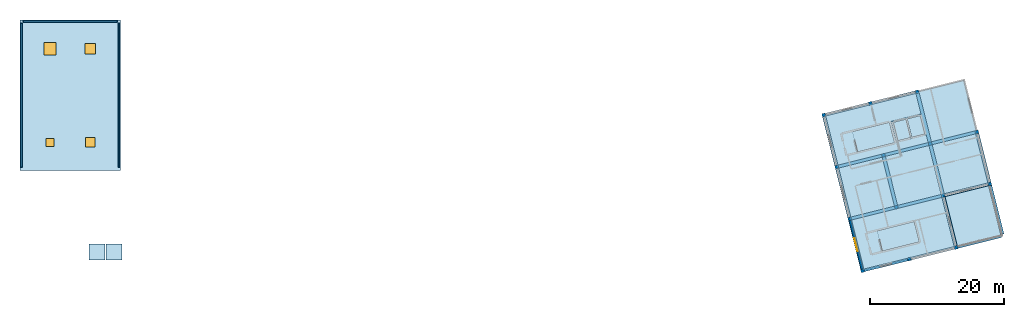
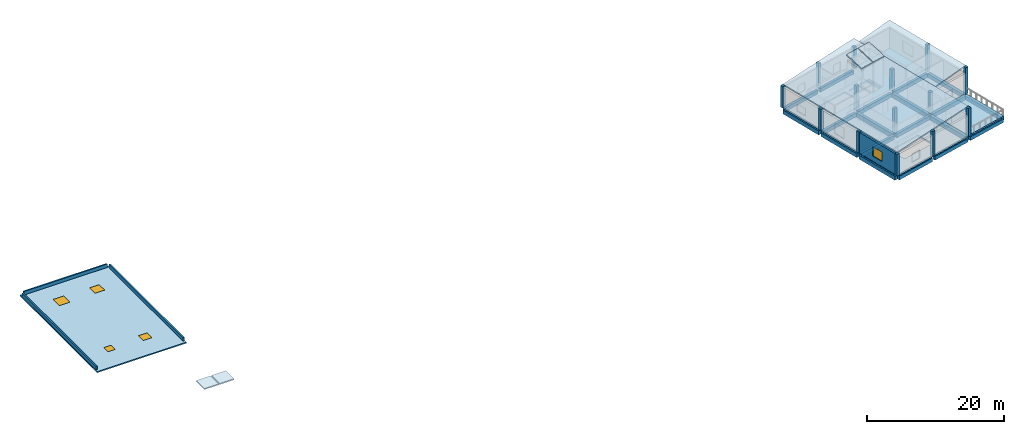
# One storey, part 1 of 4: 20 beams, 14 columns, 9 slabs, 5 windows, 4 walls, 5 openings.
"""IFC4 building model written with IfcOpenShell, lengths in metres."""

from ifc_helpers import new_model, si_unit, direction, frame, frame_2d, origin, origin_2d, place, context, subcontext, project, spatial, polyline, rectangle, outline, extrude, material, layer, layer_set, material_profile, profile_set, type_object, element, fill, save


model = new_model("IFC4")

# Units and contexts
model_context = context("Model", 3, precision=1e-05, world=origin(), true_north=direction((0.0, 1.0)))
body_context = subcontext(model_context, "Body", "Model", "MODEL_VIEW")
ifc_project = project(units=[si_unit("LENGTHUNIT", "METRE"), si_unit("AREAUNIT", "SQUARE_METRE"), si_unit("VOLUMEUNIT", "CUBIC_METRE"), si_unit("PLANEANGLEUNIT", "RADIAN"), si_unit("MASSUNIT", "GRAM", prefix="KILO")], contexts=[model_context])

# Site, building, storey
site_placement = place(None, origin())
site = spatial("IfcSite", under=ifc_project, at=site_placement, CompositionType="ELEMENT")
building_placement = place(site_placement, origin())
building = spatial("IfcBuilding", under=site, at=building_placement, Name="Mawjan Specialist Oncology Clinic", CompositionType="ELEMENT")
storey_placement = place(building_placement, frame((0.0, 0.0, 25.5)))
storey = spatial("IfcBuildingStorey", under=building, at=storey_placement, Name="L06", CompositionType="ELEMENT", Elevation=25.5)

# Columns
ifc_material_1 = material(Name="Concrete C45/55", Category="concrete")
ifc_material_profile_1 = material_profile(ifc_material_1, rectangle(XDim=0.5, YDim=0.5, at=origin_2d()), Name="RC COL 500x500", Category="concrete")
ifc_profile_set_1 = profile_set([ifc_material_profile_1], Name="Concrete C45/55")
column_type = type_object("IfcColumnType", Name="C-500", PredefinedType="COLUMN", material=ifc_profile_set_1)
for number, where, z_axis, x_axis, name in (
    (1, (126.0, 0.800048828125, 0.0), (0.0, 0.0, 1.0), (0.970295726276, 0.2419218956, 0.0), "L06 Column R-RA-R1"),
    (2, (124.064697265625, 8.562255859375, 0.0), (0.0, 0.0, 1.0), (0.970295726276, 0.2419218956, 0.0), "L06 Column R-RA-R2"),
    (3, (122.129150390625, 16.32470703125, 0.0), (0.0, 0.0, 1.0), (0.970295726276, 0.2419218956, 0.0), "L06 Column R-RA-R3"),
    (4, (120.19384765625, 24.087158203125, 0.0), (0.0, 0.0, 1.0), (0.970295726276, 0.2419218956, 0.0), "L06 Column R-RA-R4"),
):
    element("IfcColumn", number, at=place(storey_placement, frame(where, z_axis=z_axis, x_axis=x_axis)), inside=storey, type_object=column_type, Name=name, PredefinedType="COLUMN", context=body_context, shape_type="SweptSolid", body=[
        extrude(rectangle(XDim=0.5, YDim=0.5, at=origin_2d()), origin(), (0.0, 0.0, 1.0), 3.819091796875),
    ])
for number, where, z_axis, x_axis, name in (
    (5, (132.986083984375, 2.541748046875, 0.0), (0.0, 0.0, 1.0), (0.970295726276, 0.2419218956, 0.0), "L06 Column R-RB-R1"),
    (6, (131.05078125, 10.30419921875, 0.0), (0.0, 0.0, 1.0), (0.970295726276, 0.2419218956, 0.0), "L06 Column R-RB-R2"),
    (7, (129.115478515625, 18.066650390625, 0.0), (0.0, 0.0, 1.0), (0.970295726276, 0.2419218956, 0.0), "L06 Column R-RB-R3"),
    (8, (127.179931640625, 25.828857421875, 0.0), (0.0, 0.0, 1.0), (0.970295726276, 0.2419218956, 0.0), "L06 Column R-RB-R4"),
):
    element("IfcColumn", number, at=place(storey_placement, frame(where, z_axis=z_axis, x_axis=x_axis)), inside=storey, type_object=column_type, Name=name, PredefinedType="COLUMN", context=body_context, shape_type="SweptSolid", body=[
        extrude(rectangle(XDim=0.5, YDim=0.5, at=origin_2d()), origin(), (0.0, 0.0, 1.0), 4.419921875),
    ])
column_placement = place(storey_placement, frame((139.97216796875, 4.28369140625, 0.0), z_axis=(0.0, 0.0, 1.0), x_axis=(0.970295726276, 0.2419218956, 0.0)))
element("IfcColumn", 9, at=column_placement, inside=storey, type_object=column_type, Name="L06 Column R-RC-R1", PredefinedType="COLUMN", context=body_context, shape_type="SweptSolid", body=[
    extrude(rectangle(XDim=0.5, YDim=0.5, at=origin_2d()), origin(), (0.0, 0.0, 1.0), 5.020751953125),
])
for number, where, z_axis, x_axis, name in (
    (10, (138.036865234375, 12.046142578125, 0.0), (0.0, 0.0, 1.0), (0.970295726276, 0.2419218956, 0.0), "L06 Column R-RC-R2"),
    (11, (136.1015625, 19.808349609375, 0.0), (0.0, 0.0, 1.0), (0.970295726276, 0.2419218956, 0.0), "L06 Column R-RC-R3"),
    (12, (134.166015625, 27.57080078125, 0.0), (0.0, 0.0, 1.0), (0.970295726276, 0.2419218956, 0.0), "L06 Column R-RC-R4"),
):
    element("IfcColumn", number, at=place(storey_placement, frame(where, z_axis=z_axis, x_axis=x_axis)), inside=storey, type_object=column_type, Name=name, PredefinedType="COLUMN", context=body_context, shape_type="SweptSolid", body=[
        extrude(rectangle(XDim=0.5, YDim=0.5, at=origin_2d()), origin(), (0.0, 0.0, 1.0), 3.818115234375),
    ])
for number, where, z_axis, x_axis, name in (
    (13, (145.02294921875, 13.787841796875, 0.0), (0.0, 0.0, 1.0), (0.970295726276, 0.2419218956, 0.0), "L06 Column R-RD-R2"),
    (14, (143.087646484375, 21.55029296875, 0.0), (0.0, 0.0, 1.0), (0.970295726276, 0.2419218956, 0.0), "L06 Column R-RD-R3"),
):
    element("IfcColumn", number, at=place(storey_placement, frame(where, z_axis=z_axis, x_axis=x_axis)), inside=storey, type_object=column_type, Name=name, PredefinedType="COLUMN", context=body_context, shape_type="SweptSolid", body=[
        extrude(rectangle(XDim=0.5, YDim=0.5, at=origin_2d()), origin(), (0.0, 0.0, 1.0), 4.73828125),
    ])

# Beams
ifc_material_2 = material(Name="Concrete C40/50", Category="concrete")
ifc_material_profile_2 = material_profile(ifc_material_2, rectangle(XDim=0.449951171875, YDim=0.699951171875, at=origin_2d()), Name="RC BM 450x700", Category="concrete")
ifc_profile_set_2 = profile_set([ifc_material_profile_2], Name="Concrete C40/50")
beam_type_1 = type_object("IfcBeamType", Name="BM-450x700", PredefinedType="BEAM", material=ifc_profile_set_2)
for number, where, z_axis, x_axis, name in (
    (15, (124.292724609375, 8.619140625, -0.6298828125), (0.970293819569, 0.241929542854, 0.0), (-0.241929542854, 0.970293819569, 0.0), "L06 Collector Beam BM-L06-1223"),
    (16, (131.27880859375, 10.361083984375, -0.6298828125), (0.970293819569, 0.241929542854, 0.0), (-0.241929542854, 0.970293819569, 0.0), "L06 Collector Beam BM-L06-1224"),
    (17, (138.264892578125, 12.102783203125, -0.6298828125), (0.970293819569, 0.241929542854, 0.0), (-0.241929542854, 0.970293819569, 0.0), "L06 Collector Beam BM-L06-1225"),
):
    element("IfcBeam", number, at=place(storey_placement, frame(where, z_axis=z_axis, x_axis=x_axis)), inside=storey, type_object=beam_type_1, Name=name, PredefinedType="BEAM", context=body_context, shape_type="SweptSolid", body=[
        extrude(rectangle(XDim=0.449951171875, YDim=0.699951171875, at=origin_2d()), origin(), (0.0, 0.0, 1.0), 6.72998046875),
    ])
beam_1_placement = place(storey_placement, frame((122.357177734375, 16.381591796875, -0.6298828125), z_axis=(0.970295942731, 0.241921027444, 0.0), x_axis=(-0.241921027444, 0.970295942731, 0.0)))
element("IfcBeam", 18, at=beam_1_placement, inside=storey, type_object=beam_type_1, Name="L06 Collector Beam BM-L06-1226", PredefinedType="BEAM", context=body_context, shape_type="SweptSolid", body=[
    extrude(rectangle(XDim=0.449951171875, YDim=0.699951171875, at=origin_2d()), origin(), (0.0, 0.0, 1.0), 6.730224609375),
])
for number, where, z_axis, x_axis, name in (
    (19, (129.343505859375, 18.12353515625, -0.6298828125), (0.970302334743, 0.241895388943, 0.0), (-0.241895388943, 0.970302334743, 0.0), "L06 Collector Beam BM-L06-1227"),
    (20, (136.32958984375, 19.865234375, -0.6298828125), (0.970293819569, 0.241929542854, 0.0), (-0.241929542854, 0.970293819569, 0.0), "L06 Collector Beam BM-L06-1228"),
):
    element("IfcBeam", number, at=place(storey_placement, frame(where, z_axis=z_axis, x_axis=x_axis)), inside=storey, type_object=beam_type_1, Name=name, PredefinedType="BEAM", context=body_context, shape_type="SweptSolid", body=[
        extrude(rectangle(XDim=0.449951171875, YDim=0.699951171875, at=origin_2d()), origin(), (0.0, 0.0, 1.0), 6.72998046875),
    ])
ifc_material_3 = material(Name="Concrete C45/55", Category="concrete")
ifc_material_profile_3 = material_profile(ifc_material_3, rectangle(XDim=0.5, YDim=0.800048828125, at=origin_2d()), Name="RC BM 500x800", Category="concrete")
ifc_profile_set_3 = profile_set([ifc_material_profile_3], Name="Concrete C45/55")
beam_type_2 = type_object("IfcBeamType", Name="BM-500x800", PredefinedType="BEAM", material=ifc_profile_set_3)
for number, where, z_axis, x_axis, name in (
    (21, (130.993896484375, 10.5322265625, -0.679931640625), (-0.241932910606, 0.97029297986, 0.0), (-0.97029297986, -0.241932910606, 0.0), "L06 Collector Beam BM-L06-1234"),
    (22, (139.91552734375, 4.51171875, -0.679931640625), (-0.241932910606, 0.97029297986, 0.0), (-0.97029297986, -0.241932910606, 0.0), "L06 Collector Beam BM-L06-1235"),
):
    element("IfcBeam", number, at=place(storey_placement, frame(where, z_axis=z_axis, x_axis=x_axis)), inside=storey, type_object=beam_type_2, Name=name, PredefinedType="BEAM", context=body_context, shape_type="SweptSolid", body=[
        extrude(rectangle(XDim=0.5, YDim=0.800048828125, at=origin_2d()), origin(), (0.0, 0.0, 1.0), 7.530029296875),
    ])
beam_2_placement = place(storey_placement, frame((137.97998046875, 12.274169921875, -0.679931640625), z_axis=(-0.241909996281, 0.970298693032, 0.0), x_axis=(-0.970298693032, -0.241909996281, 0.0)))
element("IfcBeam", 23, at=beam_2_placement, inside=storey, type_object=beam_type_2, Name="L06 Collector Beam BM-L06-1236", PredefinedType="BEAM", context=body_context, shape_type="SweptSolid", body=[
    extrude(rectangle(XDim=0.5, YDim=0.800048828125, at=origin_2d()), origin(), (0.0, 0.0, 1.0), 7.52978515625),
])
ifc_material_4 = material(Name="Concrete C45/55", Category="concrete")
ifc_material_profile_4 = material_profile(ifc_material_4, rectangle(XDim=0.39990234375, YDim=0.64990234375, at=origin_2d()), Name="RC BM 400x650", Category="concrete")
ifc_profile_set_4 = profile_set([ifc_material_profile_4], Name="Concrete C45/55")
beam_type_3 = type_object("IfcBeamType", Name="SP-400x650", PredefinedType="SPANDREL", material=ifc_profile_set_4)
for number, where, z_axis, x_axis, name in (
    (24, (126.22802734375, 0.85693359375, -0.60498046875), (0.970293819569, 0.241929542854, 0.0), (-0.241929542854, 0.970293819569, 0.0), "L06 Spandrel Beam BM-L06-1220"),
    (25, (133.214111328125, 2.5986328125, -0.60498046875), (0.970293819569, 0.241929542854, 0.0), (-0.241929542854, 0.970293819569, 0.0), "L06 Spandrel Beam BM-L06-1221"),
):
    element("IfcBeam", number, at=place(storey_placement, frame(where, z_axis=z_axis, x_axis=x_axis)), inside=storey, type_object=beam_type_3, Name=name, PredefinedType="SPANDREL", context=body_context, shape_type="SweptSolid", body=[
        extrude(rectangle(XDim=0.39990234375, YDim=0.64990234375, at=origin_2d()), origin(), (0.0, 0.0, 1.0), 6.72998046875),
    ])
beam_3_placement = place(storey_placement, frame((140.2001953125, 4.340576171875, -0.60498046875), z_axis=(0.970295942731, 0.241921027444, 0.0), x_axis=(-0.241921027444, 0.970295942731, 0.0)))
element("IfcBeam", 26, at=beam_3_placement, inside=storey, type_object=beam_type_3, Name="L06 Spandrel Beam BM-L06-1222", PredefinedType="SPANDREL", context=body_context, shape_type="SweptSolid", body=[
    extrude(rectangle(XDim=0.39990234375, YDim=0.64990234375, at=origin_2d()), origin(), (0.0, 0.0, 1.0), 6.730224609375),
])
beam_4_placement = place(storey_placement, frame((120.421875, 24.14404296875, -0.60498046875), z_axis=(0.970302334743, 0.241895388943, 0.0), x_axis=(-0.241895388943, 0.970302334743, 0.0)))
element("IfcBeam", 27, at=beam_4_placement, inside=storey, type_object=beam_type_3, Name="L06 Spandrel Beam BM-L06-1229", PredefinedType="SPANDREL", context=body_context, shape_type="SweptSolid", body=[
    extrude(rectangle(XDim=0.39990234375, YDim=0.64990234375, at=origin_2d()), origin(), (0.0, 0.0, 1.0), 6.72998046875),
])
beam_5_placement = place(storey_placement, frame((127.407958984375, 25.8857421875, -0.60498046875), z_axis=(0.970295942731, 0.241921027444, 0.0), x_axis=(-0.241921027444, 0.970295942731, 0.0)))
element("IfcBeam", 28, at=beam_5_placement, inside=storey, type_object=beam_type_3, Name="L06 Spandrel Beam BM-L06-1230", PredefinedType="SPANDREL", context=body_context, shape_type="SweptSolid", body=[
    extrude(rectangle(XDim=0.39990234375, YDim=0.64990234375, at=origin_2d()), origin(), (0.0, 0.0, 1.0), 6.730224609375),
])
ifc_material_5 = material(Name="Concrete C45/55", Category="concrete")
ifc_material_profile_5 = material_profile(ifc_material_5, rectangle(XDim=0.5, YDim=0.699951171875, at=origin_2d()), Name="RC BM 500x700", Category="concrete")
ifc_profile_set_5 = profile_set([ifc_material_profile_5], Name="Concrete C45/55")
beam_type_4 = type_object("IfcBeamType", Name="SP-500x700", PredefinedType="SPANDREL", material=ifc_profile_set_5)
beam_6_placement = place(storey_placement, frame((125.943115234375, 1.028076171875, -0.6298828125), z_axis=(-0.241909996281, 0.970298693032, 0.0), x_axis=(-0.970298693032, -0.241909996281, 0.0)))
element("IfcBeam", 29, at=beam_6_placement, inside=storey, type_object=beam_type_4, Name="L06 Spandrel Beam BM-L06-1231", PredefinedType="SPANDREL", context=body_context, shape_type="SweptSolid", body=[
    extrude(rectangle(XDim=0.5, YDim=0.699951171875, at=origin_2d()), origin(), (0.0, 0.0, 1.0), 7.52978515625),
])
for number, where, z_axis, x_axis, name in (
    (30, (124.0078125, 8.790283203125, -0.6298828125), (-0.241932910606, 0.97029297986, 0.0), (-0.97029297986, -0.241932910606, 0.0), "L06 Spandrel Beam BM-L06-1232"),
    (31, (122.072509765625, 16.552734375, -0.6298828125), (-0.241932910606, 0.97029297986, 0.0), (-0.97029297986, -0.241932910606, 0.0), "L06 Spandrel Beam BM-L06-1233"),
    (32, (136.044677734375, 20.036376953125, -0.6298828125), (-0.241932910606, 0.97029297986, 0.0), (-0.97029297986, -0.241932910606, 0.0), "L06 Spandrel Beam BM-L06-1237"),
    (33, (146.901611328125, 6.25341796875, -0.6298828125), (-0.241932910606, 0.97029297986, 0.0), (-0.97029297986, -0.241932910606, 0.0), "L06 Spandrel Beam BM-L06-1238"),
    (34, (144.966064453125, 14.015869140625, -0.6298828125), (-0.241902385963, 0.970300590366, 0.0), (-0.970300590366, -0.241902385963, 0.0), "L06 Spandrel Beam BM-L06-1239"),
):
    element("IfcBeam", number, at=place(storey_placement, frame(where, z_axis=z_axis, x_axis=x_axis)), inside=storey, type_object=beam_type_4, Name=name, PredefinedType="SPANDREL", context=body_context, shape_type="SweptSolid", body=[
        extrude(rectangle(XDim=0.5, YDim=0.699951171875, at=origin_2d()), origin(), (0.0, 0.0, 1.0), 7.530029296875),
    ])

# Slabs
ifc_material_6 = material(Name="Concrete C35/45", Category="concrete")
ifc_layer_1 = layer(ifc_material_6, 0.280029296875, Name="Concrete C35/45", Category="concrete")
ifc_layer_set_1 = layer_set([ifc_layer_1], Name="Concrete C35/45")
slab_type_1 = type_object("IfcSlabType", Name="FS-280R", PredefinedType="FLOOR", material=ifc_layer_set_1)
slab_1_placement = place(storey_placement, frame((0.0, 0.0, -0.280029296875)))
element("IfcSlab", 35, at=slab_1_placement, inside=storey, type_object=slab_type_1, Name="L06 Research and Teaching Wing Slab SLB-V6-L06", PredefinedType="FLOOR", context=body_context, shape_type="SweptSolid", body=[
    extrude(outline(polyline([(126.0, 0.800048828125), (139.97216796875, 4.28369140625), (138.036865234375, 12.046142578125), (145.02294921875, 13.787841796875), (141.15234375, 29.3125), (120.19384765625, 24.087158203125), (126.0, 0.800048828125)]), holes=[polyline([(125.259521484375, 18.651123046875), (130.693115234375, 20.005859375), (129.96728515625, 22.916748046875), (124.53369140625, 21.56201171875), (125.259521484375, 18.651123046875)]), polyline([(131.28759765625, 20.30859375), (133.131103515625, 20.768310546875), (132.477783203125, 23.38818359375), (130.63427734375, 22.928466796875), (131.28759765625, 20.30859375)]), polyline([(133.422119140625, 20.8408203125), (135.265625, 21.300537109375), (134.612548828125, 23.92041015625), (132.76904296875, 23.460693359375), (133.422119140625, 20.8408203125)]), polyline([(128.9609375, 3.8056640625), (134.39453125, 5.160400390625), (133.668701171875, 8.0712890625), (128.235107421875, 6.716552734375), (128.9609375, 3.8056640625)])]), origin(), (0.0, 0.0, 1.0), 0.280029296875),
])
ifc_material_7 = material(Name="Concrete C35/45", Category="concrete")
ifc_layer_2 = layer(ifc_material_7, 0.22998046875, Name="Concrete C35/45", Category="concrete")
ifc_layer_set_2 = layer_set([ifc_layer_2], Name="Concrete C35/45")
slab_type_2 = type_object("IfcSlabType", Name="RF-CRN230", PredefinedType="ROOF", material=ifc_layer_set_2)
slab_2_placement = place(storey_placement, frame((126.0, 0.800048828125, 4.050048828125), z_axis=(-0.080686641003, -0.020117521768, 0.996536477647), x_axis=(0.966936454258, 0.241078503206, 0.083156771932)))
element("IfcSlab", 36, at=slab_2_placement, inside=storey, type_object=slab_type_2, Name="Research Wing L06 Sloped Brise-Soleil Crown Roof", PredefinedType="ROOF", context=body_context, shape_type="SweptSolid", body=[
    extrude(outline(polyline([(0.0, 0.0), (14.429987408093215, 3.070138679958992e-16), (14.429828520063648, 24.000018084509872), (-0.0001588880295662065, 24.000018084509872), (0.0, 0.0)])), origin(), (0.0, 0.0, -1.0), 0.22998046875),
])
slab_3_placement = place(storey_placement, frame((138.036865234375, 12.046142578125, 4.0400390625), z_axis=(-0.122971363252, -0.030660168876, 0.991936488826), x_axis=(0.962475847652, 0.239954663543, 0.126735954374)))
element("IfcSlab", 37, at=slab_3_placement, inside=storey, type_object=slab_type_2, Name="Research Wing L06 East Sloped Roof Deck", PredefinedType="ROOF", context=body_context, shape_type="SweptSolid", body=[
    extrude(outline(polyline([(0.0, 0.0), (7.258453131433268, 6.047815243395704e-17), (7.258302987720826, 15.99989371826592), (-0.0003851231674349975, 15.999952777233743), (0.0, 0.0)])), origin(), (0.0, 0.0, -1.0), 0.219970703125),
])

# Slab, openings, windows
ifc_material_8 = material(Name="Concrete C35/45", Category="concrete")
ifc_layer_3 = layer(ifc_material_8, 0.199951171875, Name="Concrete C35/45", Category="concrete")
ifc_layer_set_3 = layer_set([ifc_layer_3], Name="Concrete C35/45")
slab_type_3 = type_object("IfcSlabType", Name="RF-OVR200", PredefinedType="ROOF", material=ifc_layer_set_3)
slab_4_placement = place(storey_placement, frame((0.0, 0.0, -0.199951171875)))
slab_4 = element("IfcSlab", 38, at=slab_4_placement, inside=storey, type_object=slab_type_3, Name="Outpatient Wing L05 North Roof Deck", PredefinedType="ROOF", context=body_context, shape_type="SweptSolid", body=[
    extrude(outline(polyline([(0.0, 15.800048828125), (15.0, 15.800048828125), (15.0, 38.300048828125), (0.0, 38.300048828125), (0.0, 15.800048828125)])), origin(), (0.0, 0.0, 1.0), 0.199951171875),
])
opening_1_placement = place(slab_4_placement, frame((4.5, 20.0, 0.0)))
opening_1 = element("IfcOpeningElement", 39, at=opening_1_placement, cuts=slab_4, Name="Opening SK-01", PredefinedType="OPENING", context=body_context, shape_type="SweptSolid", body=[
    extrude(rectangle(XDim=1.199951171875, YDim=1.199951171875, at=origin_2d()), origin(), (0.0, 0.0, 1.0), 0.199951171875),
])
opening_2_placement = place(slab_4_placement, frame((10.5, 20.0, 0.0)))
opening_2 = element("IfcOpeningElement", 40, at=opening_2_placement, cuts=slab_4, Name="Opening SK-02", PredefinedType="OPENING", context=body_context, shape_type="SweptSolid", body=[
    extrude(rectangle(XDim=1.39990234375, YDim=1.39990234375, at=origin_2d()), origin(), (0.0, 0.0, 1.0), 0.199951171875),
])
opening_3_placement = place(slab_4_placement, frame((10.5, 34.0, 0.0)))
opening_3 = element("IfcOpeningElement", 41, at=opening_3_placement, cuts=slab_4, Name="Opening SK-03", PredefinedType="OPENING", context=body_context, shape_type="SweptSolid", body=[
    extrude(rectangle(XDim=1.60009765625, YDim=1.60009765625, at=origin_2d()), origin(), (0.0, 0.0, 1.0), 0.199951171875),
])
opening_4_placement = place(slab_4_placement, frame((4.5, 34.0, 0.0)))
opening_4 = element("IfcOpeningElement", 42, at=opening_4_placement, cuts=slab_4, Name="Opening SK-04", PredefinedType="OPENING", context=body_context, shape_type="SweptSolid", body=[
    extrude(rectangle(XDim=1.800048828125, YDim=1.800048828125, at=origin_2d()), origin(), (0.0, 0.0, 1.0), 0.199951171875),
])
ifc_material_9 = material(Name="Laminated solar-control skylight assembly", Category="glass")
window_type_1 = type_object("IfcWindowType", Name="SK-01", PartitioningType="SINGLE_PANEL", PredefinedType="SKYLIGHT", material=ifc_material_9)
window_1_placement = place(opening_1_placement, frame((0.0, 0.0, 0.14990234375)))
window_1 = element("IfcWindow", 43, at=window_1_placement, inside=storey, type_object=window_type_1, Name="L06 Roof Skylight and Smoke Hatch 01", OverallHeight=1.199951171875, OverallWidth=1.199951171875, PartitioningType="SINGLE_PANEL", PredefinedType="SKYLIGHT", context=body_context, shape_type="SweptSolid", body=[
    extrude(rectangle(XDim=1.199951171875, YDim=1.199951171875, at=origin_2d()), origin(), (0.0, 0.0, 1.0), 0.050048828125),
])
fill(opening_1, window_1)
ifc_material_10 = material(Name="Laminated solar-control skylight assembly", Category="glass")
window_type_2 = type_object("IfcWindowType", Name="SK-02", PartitioningType="SINGLE_PANEL", PredefinedType="SKYLIGHT", material=ifc_material_10)
window_2_placement = place(opening_2_placement, frame((0.0, 0.0, 0.14990234375)))
window_2 = element("IfcWindow", 44, at=window_2_placement, inside=storey, type_object=window_type_2, Name="L06 Roof Skylight and Smoke Hatch 02", OverallHeight=1.39990234375, OverallWidth=1.39990234375, PartitioningType="SINGLE_PANEL", PredefinedType="SKYLIGHT", context=body_context, shape_type="SweptSolid", body=[
    extrude(rectangle(XDim=1.39990234375, YDim=1.39990234375, at=origin_2d()), origin(), (0.0, 0.0, 1.0), 0.050048828125),
])
fill(opening_2, window_2)
ifc_material_11 = material(Name="Laminated solar-control skylight assembly", Category="glass")
window_type_3 = type_object("IfcWindowType", Name="SK-03", PartitioningType="SINGLE_PANEL", PredefinedType="SKYLIGHT", material=ifc_material_11)
window_3_placement = place(opening_3_placement, frame((0.0, 0.0, 0.14990234375)))
window_3 = element("IfcWindow", 45, at=window_3_placement, inside=storey, type_object=window_type_3, Name="L06 Roof Skylight and Smoke Hatch 03", OverallHeight=1.60009765625, OverallWidth=1.60009765625, PartitioningType="SINGLE_PANEL", PredefinedType="SKYLIGHT", context=body_context, shape_type="SweptSolid", body=[
    extrude(rectangle(XDim=1.60009765625, YDim=1.60009765625, at=origin_2d()), origin(), (0.0, 0.0, 1.0), 0.050048828125),
])
fill(opening_3, window_3)
ifc_material_12 = material(Name="Laminated solar-control skylight assembly", Category="glass")
window_type_4 = type_object("IfcWindowType", Name="SK-04", PartitioningType="SINGLE_PANEL", PredefinedType="SKYLIGHT", material=ifc_material_12)
window_4_placement = place(opening_4_placement, frame((0.0, 0.0, 0.14990234375)))
window_4 = element("IfcWindow", 46, at=window_4_placement, inside=storey, type_object=window_type_4, Name="L06 Roof Skylight and Smoke Hatch 04", OverallHeight=1.800048828125, OverallWidth=1.800048828125, PartitioningType="SINGLE_PANEL", PredefinedType="SKYLIGHT", context=body_context, shape_type="SweptSolid", body=[
    extrude(rectangle(XDim=1.800048828125, YDim=1.800048828125, at=origin_2d()), origin(), (0.0, 0.0, 1.0), 0.050048828125),
])
fill(opening_4, window_4)

# Slabs
slab_5_placement = place(storey_placement, frame((0.0, 0.0, 1.300048828125)))
element("IfcSlab", 47, at=slab_5_placement, inside=storey, type_object=slab_type_3, Name="Lift LF-03 Overrun Roof Slab", PredefinedType="ROOF", context=body_context, shape_type="SweptSolid", body=[
    extrude(outline(polyline([(10.31005859375, 2.409912109375), (12.72998046875, 2.409912109375), (12.72998046875, 4.7900390625), (10.31005859375, 4.7900390625), (10.31005859375, 2.409912109375)])), origin(), (0.0, 0.0, 1.0), 0.199951171875),
])
slab_6_placement = place(storey_placement, frame((0.0, 0.0, 1.300048828125)))
element("IfcSlab", 48, at=slab_6_placement, inside=storey, type_object=slab_type_3, Name="Lift LF-04 Overrun Roof Slab", PredefinedType="ROOF", context=body_context, shape_type="SweptSolid", body=[
    extrude(outline(polyline([(12.8701171875, 2.409912109375), (15.2900390625, 2.409912109375), (15.2900390625, 4.7900390625), (12.8701171875, 4.7900390625), (12.8701171875, 2.409912109375)])), origin(), (0.0, 0.0, 1.0), 0.199951171875),
])
ifc_material_13 = material(Name="Concrete C35/45", Category="concrete")
ifc_layer_4 = layer(ifc_material_13, 0.219970703125, Name="Concrete C35/45", Category="concrete")
ifc_layer_set_4 = layer_set([ifc_layer_4], Name="Concrete C35/45")
slab_type_4 = type_object("IfcSlabType", Name="RF-SLP220", PredefinedType="ROOF", material=ifc_layer_set_4)
slab_7_placement = place(storey_placement, frame((131.11279296875, 20.017822265625, 5.5), z_axis=(0.064503577137, -0.258747470371, 0.963788895512), x_axis=(0.970315998431, 0.241840573521, -1.3712775e-05)))
element("IfcSlab", 49, at=slab_7_placement, inside=storey, type_object=slab_type_4, Name="Lift LF-01 Sloped Overrun Roof Cap", PredefinedType="ROOF", context=body_context, shape_type="SweptSolid", body=[
    extrude(outline(polyline([(0.0, 0.0), (2.219947625812668, -1.1102230246251565e-16), (2.2194929287513956, 3.2996780765407085), (-0.0005137401700416902, 3.2994497609477036), (0.0, 0.0)])), origin(), (0.0, 0.0, -1.0), 0.219970703125),
])
slab_8_placement = place(storey_placement, frame((133.402587890625, 20.588623046875, 5.5), z_axis=(0.064520727331, -0.258757444202, 0.963785069824), x_axis=(0.970291104491, 0.241940431812, 0.0)))
element("IfcSlab", 50, at=slab_8_placement, inside=storey, type_object=slab_type_4, Name="Lift LF-02 Sloped Overrun Roof Cap", PredefinedType="ROOF", context=body_context, shape_type="SweptSolid", body=[
    extrude(outline(polyline([(0.0, 0.0), (2.220006680886638, 0.0), (2.220069158179876, 3.2993928680842224), (6.24772932381612e-05, 3.299392868084222), (0.0, 0.0)])), origin(), (0.0, 0.0, -1.0), 0.219970703125),
])
ifc_material_14 = material(Name="Concrete C35/45", Category="concrete")
ifc_layer_5 = layer(ifc_material_14, 0.25, Name="Concrete C35/45", Category="concrete")
ifc_layer_set_5 = layer_set([ifc_layer_5], Name="Concrete C35/45")
slab_type_5 = type_object("IfcSlabType", Name="RT-250R", PredefinedType="ROOF", material=ifc_layer_set_5)
slab_9_placement = place(storey_placement, frame((0.0, 0.0, -0.25)))
element("IfcSlab", 51, at=slab_9_placement, inside=storey, type_object=slab_type_5, Name="L06 Accessible Healing Terrace TER-V6-L06", PredefinedType="ROOF", context=body_context, shape_type="SweptSolid", body=[
    extrude(outline(polyline([(139.97216796875, 4.28369140625), (146.95849609375, 6.025634765625), (145.02294921875, 13.787841796875), (138.036865234375, 12.046142578125), (139.97216796875, 4.28369140625)])), origin(), (0.0, 0.0, 1.0), 0.25),
])

# Wall, opening, window
ifc_material_15 = material(Name="Precast concrete C40/50", Category="concrete")
ifc_layer_6 = layer(ifc_material_15, 0.320068359375, Name="Precast concrete C40/50", Category="concrete")
ifc_layer_set_6 = layer_set([ifc_layer_6], Name="Precast concrete C40/50")
wall_type_1 = type_object("IfcWallType", Name="EW-320", PredefinedType="SOLIDWALL", material=ifc_layer_set_6)
wall_1_placement = place(storey_placement, frame((125.939453125, 1.04248046875, 0.0), z_axis=(0.0, 0.0, 1.0), x_axis=(-0.241922842305, 0.970295490235, 0.0)))
wall_1 = element("IfcWall", 52, at=wall_1_placement, inside=storey, type_object=wall_type_1, Name="L06 Coral-Limestone Exterior Wall EW-L06-403", PredefinedType="SOLIDWALL", context=body_context, shape_type="SweptSolid", body=[
    extrude(rectangle(XDim=7.500244140625, YDim=0.320068359375, at=frame_2d((3.75, 0.0))), origin(), (0.0, 0.0, 1.0), 3.699951171875),
])
opening_5_placement = place(wall_1_placement, frame((2.75, 0.0, 0.89990234375)))
opening_5 = element("IfcOpeningElement", 53, at=opening_5_placement, cuts=wall_1, Name="Opening WN-27", PredefinedType="OPENING", context=body_context, shape_type="SweptSolid", body=[
    extrude(rectangle(XDim=2.0, YDim=1.699951171875, at=frame_2d((1.0, 0.85009765625))), frame((0.0, 0.172119140625, 0.0), z_axis=(0.0, -1.0, 0.0), x_axis=(1.0, 0.0, 0.0)), (0.0, 0.0, 1.0), 0.343994140625),
])
ifc_material_16 = material(Name="Thermally broken low-E clinical aluminium window", Category="aluminium")
window_type_5 = type_object("IfcWindowType", Name="WN-27", PartitioningType="DOUBLE_PANEL_VERTICAL", PredefinedType="WINDOW", material=ifc_material_16)
window_5_placement = place(opening_5_placement, origin())
window_5 = element("IfcWindow", 54, at=window_5_placement, inside=storey, type_object=window_type_5, Name="L06 Clinical Low-E Window 091", OverallHeight=1.699951171875, OverallWidth=2.0, PartitioningType="DOUBLE_PANEL_VERTICAL", PredefinedType="WINDOW", context=body_context, shape_type="SweptSolid", body=[
    extrude(rectangle(XDim=2.0, YDim=1.699951171875, at=frame_2d((1.0, 0.85009765625))), frame((0.0, 0.030029296875, 0.0), z_axis=(0.0, -1.0, 0.0), x_axis=(1.0, 0.0, 0.0)), (0.0, 0.0, 1.0), 0.06005859375),
])
fill(opening_5, window_5)

# Walls
ifc_material_17 = material(Name="Precast concrete C40/50", Category="concrete")
ifc_layer_7 = layer(ifc_material_17, 0.239990234375, Name="Precast concrete C40/50", Category="concrete")
ifc_layer_set_7 = layer_set([ifc_layer_7], Name="Precast concrete C40/50")
wall_type_2 = type_object("IfcWallType", Name="PAR-240", PredefinedType="PARAPET", material=ifc_layer_set_7)
wall_2_placement = place(storey_placement, frame((0.47998046875, 38.1201171875, 0.0), z_axis=(0.0, 0.0, 1.0), x_axis=(1.0, 0.0, 0.0)))
element("IfcWall", 55, at=wall_2_placement, inside=storey, type_object=wall_type_2, Name="L06 Roof Parapet Upstand 2", PredefinedType="PARAPET", context=body_context, shape_type="SweptSolid", body=[
    extrude(rectangle(XDim=14.0400390625, YDim=0.239990234375, at=frame_2d((7.02001953125, 0.0))), origin(), (0.0, 0.0, 1.0), 0.60009765625),
])
ifc_material_18 = material(Name="Precast concrete C40/50", Category="concrete")
ifc_layer_8 = layer(ifc_material_18, 0.260009765625, Name="Precast concrete C40/50", Category="concrete")
ifc_layer_set_8 = layer_set([ifc_layer_8], Name="Precast concrete C40/50")
wall_type_3 = type_object("IfcWallType", Name="PAR-260", PredefinedType="PARAPET", material=ifc_layer_set_8)
for number, where, z_axis, x_axis, name in (
    (56, (0.179931640625, 16.280029296875, 0.0), (0.0, 0.0, 1.0), (0.0, 1.0, 0.0), "L06 Roof Parapet Upstand 1"),
    (57, (14.820068359375, 37.820068359375, 0.0), (0.0, 0.0, 1.0), (0.0, -1.0, 0.0), "L06 Roof Parapet Upstand 3"),
):
    element("IfcWall", number, at=place(storey_placement, frame(where, z_axis=z_axis, x_axis=x_axis)), inside=storey, type_object=wall_type_3, Name=name, PredefinedType="PARAPET", context=body_context, shape_type="SweptSolid", body=[
        extrude(rectangle(XDim=21.5400390625, YDim=0.260009765625, at=frame_2d((10.77001953125, 0.0))), origin(), (0.0, 0.0, 1.0), 0.60009765625),
    ])

save(model, "model.ifc")
